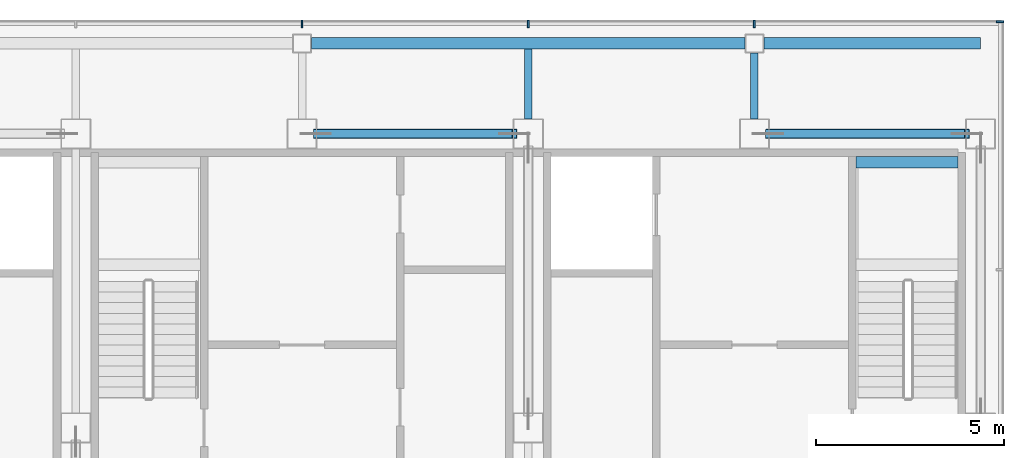
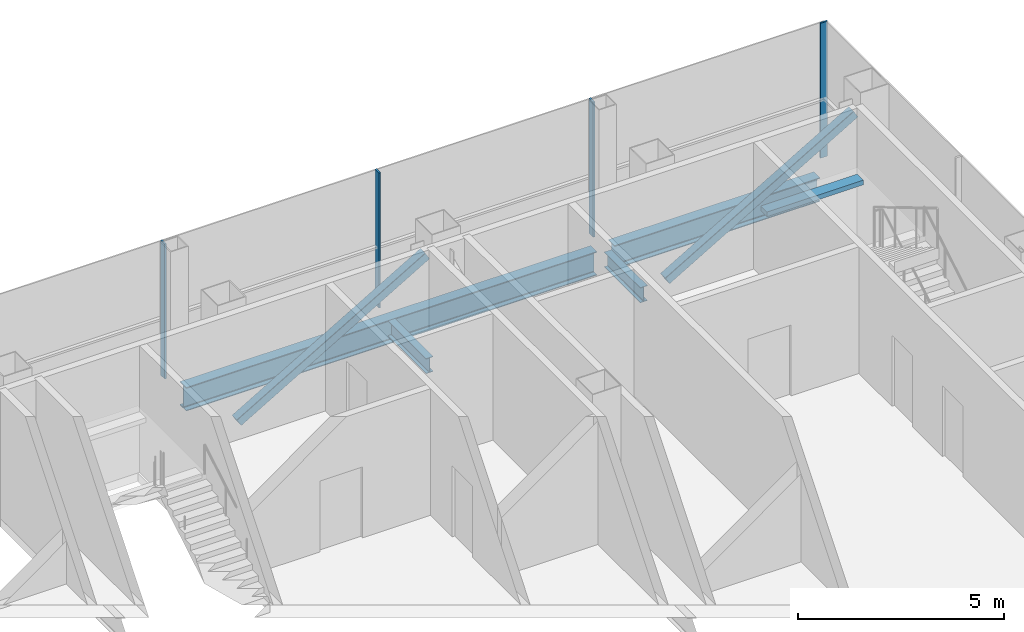
# One storey, part 12 of 18: 6 members, 5 beams, 2 elements without a shape of their own.
"""IFC4 building model written with IfcOpenShell, lengths in metres."""

from ifc_helpers import new_model, si_unit, direction, frame, origin, origin_2d, place, context, subcontext, project, spatial, rectangle, hollow_rectangle, i_section, extrude, material, material_profile, profile_set, type_object, element, aggregate, save


model = new_model("IFC4")

# Units and contexts
model_context = context("Model", 3, precision=1e-05, world=origin(), true_north=direction((0.0, 1.0)))
body_context = subcontext(model_context, "Body", "Model", "MODEL_VIEW")
ifc_project = project(units=[si_unit("LENGTHUNIT", "METRE"), si_unit("AREAUNIT", "SQUARE_METRE"), si_unit("VOLUMEUNIT", "CUBIC_METRE"), si_unit("PLANEANGLEUNIT", "RADIAN"), si_unit("MASSUNIT", "GRAM", prefix="KILO")], contexts=[model_context])

# Site, building, storey
site_placement = place(None, origin())
site = spatial("IfcSite", under=ifc_project, at=site_placement, CompositionType="ELEMENT")
building_placement = place(site_placement, origin())
building = spatial("IfcBuilding", under=site, at=building_placement, Name="Sorahane Residences", CompositionType="ELEMENT")
storey_placement = place(building_placement, frame((0.0, 0.0, 345.800048828125)))
storey = spatial("IfcBuildingStorey", under=building, at=storey_placement, Name="L82", CompositionType="ELEMENT", Elevation=345.800048828125)

# Members
ifc_material_1 = material(Name="Steel Q355B", Category="steel")
ifc_material_profile_1 = material_profile(ifc_material_1, hollow_rectangle(XDim=0.25, YDim=0.25, WallThickness=0.011962890625, InnerFilletRadius=0.006103515625, OuterFilletRadius=0.01806640625, at=origin_2d()), Name="RHS 250x250x12")
ifc_profile_set_1 = profile_set([ifc_material_profile_1], Name="Steel Q355B")
member_type_1 = type_object("IfcMemberType", Name="Core brace RHS 250x250x12 Q355B", PredefinedType="BRACE", material=ifc_profile_set_1)
for number, where, z_axis, x_axis, name in (
    (1, (24.362060546875, 45.60009765625, 0.102783203125), (0.862574842184, 0.0, 0.505929482864), (0.0, 1.0, 0.0), "Core brace L82 y45.6-4"),
    (2, (36.362060546875, 45.60009765625, 0.102783203125), (0.862574842184, 0.0, 0.505929482864), (0.0, 1.0, 0.0), "Core brace L82 y45.6-6"),
):
    element("IfcMember", number, at=place(storey_placement, frame(where, z_axis=z_axis, x_axis=x_axis)), inside=storey, type_object=member_type_1, Name=name, PredefinedType="BRACE", context=body_context, shape_type="SweptSolid", body=[
        extrude(hollow_rectangle(XDim=0.25, YDim=0.25, WallThickness=0.011962890625, InnerFilletRadius=0.006103515625, OuterFilletRadius=0.01806640625, at=origin_2d()), origin(), (0.0, 0.0, 1.0), 6.116455078125),
    ])

# Curtain wall, member
ifc_material_2 = material(Name="Dark low-e glass and black anodised aluminium", Category="aluminium")
curtain_wall_type = type_object("IfcCurtainWallType", Name="Curtain wall CW-6 Crown unitised wall", PredefinedType="NOTDEFINED", material=ifc_material_2)
curtain_wall_1_placement = place(storey_placement, origin())
curtain_wall_1 = element("IfcCurtainWall", 3, at=curtain_wall_1_placement, inside=storey, type_object=curtain_wall_type, Name="CW-6 curtain wall L82 E1", PredefinedType="NOTDEFINED")
ifc_material_3 = material(Name="Black anodised aluminium", Category="aluminium")
ifc_material_profile_2 = material_profile(ifc_material_3, rectangle(XDim=0.199951171875, YDim=0.050048828125, at=origin_2d()), Name="Curtain wall mullion CW-6 black anodised aluminium 50x200")
ifc_profile_set_2 = profile_set([ifc_material_profile_2], Name="Black anodised aluminium")
member_type_2 = type_object("IfcMemberType", Name="Curtain wall mullion CW-6 black anodised aluminium 50x200", PredefinedType="MULLION", material=ifc_profile_set_2)
member_1_placement = place(storey_placement, frame((42.52001953125, 48.574951171875, -0.25), z_axis=(0.0, 0.0, 1.0), x_axis=(1.0, 0.0, 0.0)))
member_1 = element("IfcMember", 4, at=member_1_placement, type_object=member_type_2, Name="CW-6 mullion L82 E1.6", PredefinedType="MULLION", context=body_context, shape_type="SweptSolid", body=[
    extrude(rectangle(XDim=0.199951171875, YDim=0.050048828125, at=origin_2d()), origin(), (0.0, 0.0, 1.0), 4.0),
])
aggregate(curtain_wall_1, [member_1])

# Curtain wall, members
curtain_wall_2_placement = place(storey_placement, origin())
curtain_wall_2 = element("IfcCurtainWall", 5, at=curtain_wall_2_placement, inside=storey, type_object=curtain_wall_type, Name="CW-6 curtain wall L82 N1", PredefinedType="NOTDEFINED")
member_2_placement = place(storey_placement, frame((36.0, 48.52001953125, -0.25), z_axis=(0.0, 0.0, 1.0), x_axis=(0.0, 1.0, 0.0)))
member_2 = element("IfcMember", 6, at=member_2_placement, type_object=member_type_2, Name="CW-6 mullion L82 N1.2", PredefinedType="MULLION", context=body_context, shape_type="SweptSolid", body=[
    extrude(rectangle(XDim=0.199951171875, YDim=0.050048828125, at=origin_2d()), origin(), (0.0, 0.0, 1.0), 4.0),
])
member_3_placement = place(storey_placement, frame((30.0, 48.52001953125, -0.25), z_axis=(0.0, 0.0, 1.0), x_axis=(0.0, 1.0, 0.0)))
member_3 = element("IfcMember", 7, at=member_3_placement, type_object=member_type_2, Name="CW-6 mullion L82 N1.3", PredefinedType="MULLION", context=body_context, shape_type="SweptSolid", body=[
    extrude(rectangle(XDim=0.199951171875, YDim=0.050048828125, at=origin_2d()), origin(), (0.0, 0.0, 1.0), 4.0),
])
member_4_placement = place(storey_placement, frame((24.0, 48.52001953125, -0.25), z_axis=(0.0, 0.0, 1.0), x_axis=(0.0, 1.0, 0.0)))
member_4 = element("IfcMember", 8, at=member_4_placement, type_object=member_type_2, Name="CW-6 mullion L82 N1.4", PredefinedType="MULLION", context=body_context, shape_type="SweptSolid", body=[
    extrude(rectangle(XDim=0.199951171875, YDim=0.050048828125, at=origin_2d()), origin(), (0.0, 0.0, 1.0), 4.0),
])
aggregate(curtain_wall_2, [member_2, member_3, member_4])

# Beams
ifc_material_4 = material(Name="Concrete C40", Category="concrete")
ifc_material_profile_3 = material_profile(ifc_material_4, rectangle(XDim=0.300048828125, YDim=0.139892578125, at=origin_2d()), Name="300x140")
ifc_profile_set_3 = profile_set([ifc_material_profile_3], Name="Concrete C40")
beam_type_1 = type_object("IfcBeamType", Name="RC landing beam 300 x 140 Concrete C40", PredefinedType="BEAM", material=ifc_profile_set_3)
beam_1_placement = place(storey_placement, frame((38.699951171875, 44.85009765625, 1.72998046875), z_axis=(1.0, 0.0, 0.0), x_axis=(0.0, 1.0, 0.0)))
element("IfcBeam", 9, at=beam_1_placement, inside=storey, type_object=beam_type_1, Name="Landing beam", PredefinedType="BEAM", context=body_context, shape_type="SweptSolid", body=[
    extrude(rectangle(XDim=0.300048828125, YDim=0.139892578125, at=origin_2d()), origin(), (0.0, 0.0, 1.0), 2.699951171875),
])
ifc_material_5 = material(Name="Steel Q355B", Category="steel")
ifc_material_profile_4 = material_profile(ifc_material_5, i_section(OverallWidth=0.199951171875, OverallDepth=0.449951171875, WebThickness=0.009033203125, FlangeThickness=0.013916015625, FilletRadius=0.02001953125, at=origin_2d()), Name="HN 450x200x9x14")
ifc_profile_set_4 = profile_set([ifc_material_profile_4], Name="Steel Q355B")
beam_type_2 = type_object("IfcBeamType", Name="Steel floor beam HN 450x200x9x14 Q355B", PredefinedType="BEAM", material=ifc_profile_set_4)
beam_2_placement = place(storey_placement, frame((30.0, 46.0, -0.47509765625), z_axis=(0.0, 1.0, 0.0), x_axis=(-1.0, 0.0, 0.0)))
element("IfcBeam", 10, at=beam_2_placement, inside=storey, type_object=beam_type_2, Name="Beam L82 027", PredefinedType="BEAM", context=body_context, shape_type="SweptSolid", body=[
    extrude(i_section(OverallWidth=0.199951171875, OverallDepth=0.449951171875, WebThickness=0.009033203125, FlangeThickness=0.013916015625, FilletRadius=0.02001953125, at=origin_2d()), origin(), (0.0, 0.0, 1.0), 1.85009765625),
])
beam_3_placement = place(storey_placement, frame((36.0, 46.0, -0.47509765625), z_axis=(0.0, 1.0, 0.0), x_axis=(-1.0, 0.0, 0.0)))
element("IfcBeam", 11, at=beam_3_placement, inside=storey, type_object=beam_type_2, Name="Beam L82 028", PredefinedType="BEAM", context=body_context, shape_type="SweptSolid", body=[
    extrude(i_section(OverallWidth=0.199951171875, OverallDepth=0.449951171875, WebThickness=0.009033203125, FlangeThickness=0.013916015625, FilletRadius=0.02001953125, at=origin_2d()), origin(), (0.0, 0.0, 1.0), 1.75),
])
ifc_material_6 = material(Name="Steel Q355B", Category="steel")
ifc_material_profile_5 = material_profile(ifc_material_6, i_section(OverallWidth=0.300048828125, OverallDepth=0.699951171875, WebThickness=0.012939453125, FlangeThickness=0.02392578125, FilletRadius=0.028076171875, at=origin_2d()), Name="HN 700x300x13x24")
ifc_profile_set_5 = profile_set([ifc_material_profile_5], Name="Steel Q355B")
beam_type_3 = type_object("IfcBeamType", Name="Steel floor beam HN 700x300x13x24 Q355B", PredefinedType="BEAM", material=ifc_profile_set_5)
beam_4_placement = place(storey_placement, frame((24.25, 48.0, -0.60009765625), z_axis=(1.0, 0.0, 0.0), x_axis=(0.0, 1.0, 0.0)))
element("IfcBeam", 12, at=beam_4_placement, inside=storey, type_object=beam_type_3, Name="Beam L82 005", PredefinedType="BEAM", context=body_context, shape_type="SweptSolid", body=[
    extrude(i_section(OverallWidth=0.300048828125, OverallDepth=0.699951171875, WebThickness=0.012939453125, FlangeThickness=0.02392578125, FilletRadius=0.028076171875, at=origin_2d()), origin(), (0.0, 0.0, 1.0), 11.5),
])
beam_5_placement = place(storey_placement, frame((36.25, 48.0, -0.60009765625), z_axis=(1.0, 0.0, 0.0), x_axis=(0.0, 1.0, 0.0)))
element("IfcBeam", 13, at=beam_5_placement, inside=storey, type_object=beam_type_3, Name="Beam L82 007", PredefinedType="BEAM", context=body_context, shape_type="SweptSolid", body=[
    extrude(i_section(OverallWidth=0.300048828125, OverallDepth=0.699951171875, WebThickness=0.012939453125, FlangeThickness=0.02392578125, FilletRadius=0.028076171875, at=origin_2d()), origin(), (0.0, 0.0, 1.0), 5.75),
])

save(model, "model.ifc")
